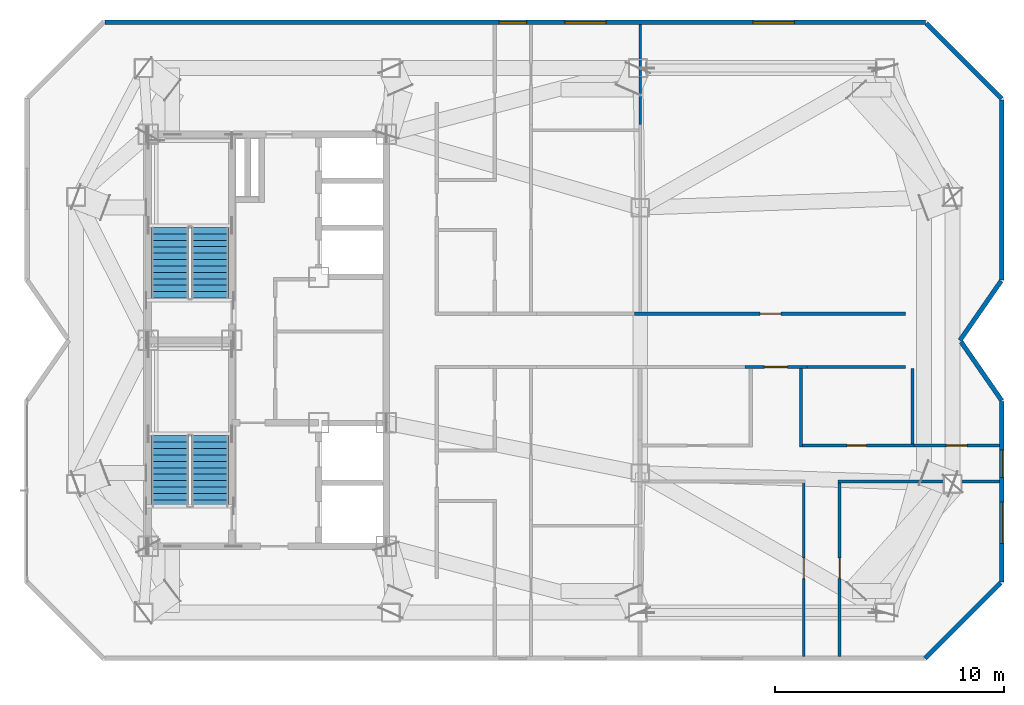
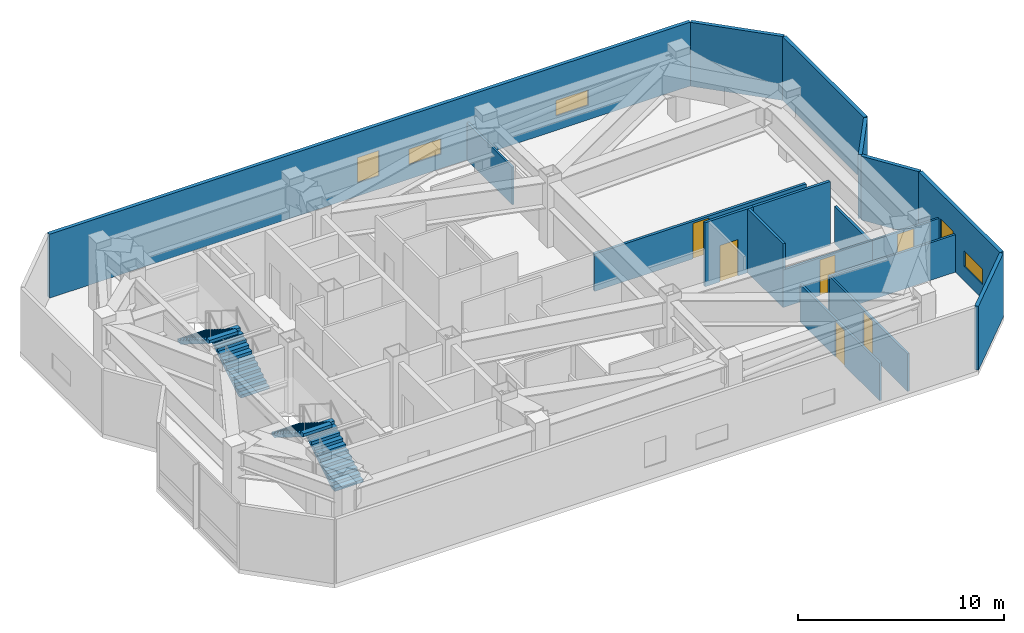
# One storey, part 8 of 9: 18 walls, 6 doors, 5 windows, 4 stair flights, 11 openings, 2 elements without a shape of their own.
"""IFC4 building model written with IfcOpenShell, lengths in metres."""

from ifc_helpers import new_model, si_unit, direction, frame, frame_2d, origin, place, context, subcontext, project, spatial, polyline, rectangle, outline, extrude, material, layer, layer_set, type_object, element, fill, aggregate, save


model = new_model("IFC4")

# Units and contexts
model_context = context("Model", 3, precision=1e-05, world=origin(), true_north=direction((0.0, 1.0)))
body_context = subcontext(model_context, "Body", "Model", "MODEL_VIEW")
ifc_project = project(units=[si_unit("LENGTHUNIT", "METRE"), si_unit("AREAUNIT", "SQUARE_METRE"), si_unit("VOLUMEUNIT", "CUBIC_METRE"), si_unit("PLANEANGLEUNIT", "RADIAN"), si_unit("MASSUNIT", "GRAM", prefix="KILO")], contexts=[model_context])

# Site, building, storey
site_placement = place(None, origin())
site = spatial("IfcSite", under=ifc_project, at=site_placement, CompositionType="ELEMENT")
building_placement = place(site_placement, origin())
building = spatial("IfcBuilding", under=site, at=building_placement, Name="Khamvora Tower", CompositionType="ELEMENT")
storey_placement = place(building_placement, frame((0.0, 0.0, 282.050048828125)))
storey = spatial("IfcBuildingStorey", under=building, at=storey_placement, Name="L72", CompositionType="ELEMENT", Elevation=282.050048828125)

# Wall, opening, door
ifc_material_1 = material(Name="Fire-Rated Drywall and Steel Stud", Category="steel")
ifc_layer_1 = layer(ifc_material_1, 0.14990234375)
ifc_layer_set_1 = layer_set([ifc_layer_1], Name="Fire-Rated Drywall and Steel Stud")
wall_type_1 = type_object("IfcWallType", Name="WAL-CORR-150", PredefinedType="STANDARD", material=ifc_layer_set_1)
wall_1_placement = place(storey_placement, frame((50.256103515625, 29.1650390625, 0.0), z_axis=(0.0, 0.0, 1.0), x_axis=(1.0, 0.0, 0.0)))
wall_1 = element("IfcWall", 1, at=wall_1_placement, inside=storey, type_object=wall_type_1, Name="L72 interior partition wall 005", PredefinedType="STANDARD", context=body_context, shape_type="SweptSolid", body=[
    extrude(rectangle(XDim=11.833984375, YDim=0.14990234375, at=frame_2d((5.9169921875, 0.0))), origin(), (0.0, 0.0, 1.0), 2.219970703125),
])
opening_1_placement = place(wall_1_placement, frame((5.488037109375, 0.0, 0.0)))
opening_1 = element("IfcOpeningElement", 2, at=opening_1_placement, cuts=wall_1, Name="Opening D-RM1", PredefinedType="OPENING", context=body_context, shape_type="SweptSolid", body=[
    extrude(rectangle(XDim=0.89990234375, YDim=2.10009765625, at=frame_2d((0.449951171875, 1.050048828125))), frame((0.0, 0.0849609375, 0.0), z_axis=(0.0, -1.0, 0.0), x_axis=(1.0, 0.0, 0.0)), (0.0, 0.0, 1.0), 0.169921875),
])
ifc_material_2 = material(Name="Powder-Coated Steel and Hardwood Leaf", Category="steel")
door_type_1 = type_object("IfcDoorType", Name="DOR-ROOM-900", OperationType="NOTDEFINED", PredefinedType="DOOR", material=ifc_material_2)
door_1_placement = place(opening_1_placement, origin())
door_1 = element("IfcDoor", 3, at=door_1_placement, inside=storey, type_object=door_type_1, Name="L72 interior door COR-CSAL", OperationType="SINGLE_SWING_LEFT", OverallHeight=2.10009765625, OverallWidth=0.89990234375, PredefinedType="DOOR", context=body_context, shape_type="SweptSolid", body=[
    extrude(rectangle(XDim=0.89990234375, YDim=2.10009765625, at=frame_2d((0.449951171875, 1.050048828125))), frame((0.0, 0.02490234375, 0.0), z_axis=(0.0, -1.0, 0.0), x_axis=(1.0, 0.0, 0.0)), (0.0, 0.0, 1.0), 0.050048828125),
])
fill(opening_1, door_1)

wall_2_placement = place(storey_placement, frame((57.780029296875, 26.8349609375, 0.0), z_axis=(0.0, 0.0, 1.0), x_axis=(-1.0, 0.0, 0.0)))
wall_2 = element("IfcWall", 4, at=wall_2_placement, inside=storey, type_object=wall_type_1, Name="L72 interior partition wall 012", PredefinedType="STANDARD", context=body_context, shape_type="SweptSolid", body=[
    extrude(rectangle(XDim=2.697998046875, YDim=0.14990234375, at=frame_2d((1.34912109375, 0.0))), origin(), (0.0, 0.0, 1.0), 3.780029296875),
])
opening_2_placement = place(wall_2_placement, frame((0.84912109375, 0.0, 0.0)))
opening_2 = element("IfcOpeningElement", 5, at=opening_2_placement, cuts=wall_2, Name="Opening D-U1", PredefinedType="OPENING", context=body_context, shape_type="SweptSolid", body=[
    extrude(rectangle(XDim=1.0, YDim=2.14990234375, at=frame_2d((0.5, 1.074951171875))), frame((0.0, 0.0849609375, 0.0), z_axis=(0.0, -1.0, 0.0), x_axis=(1.0, 0.0, 0.0)), (0.0, 0.0, 1.0), 0.169921875),
])
door_type_2 = type_object("IfcDoorType", Name="DOR-UNIT-1000", OperationType="NOTDEFINED", PredefinedType="DOOR", material=ifc_material_2)
door_2_placement = place(opening_2_placement, origin())
door_2 = element("IfcDoor", 6, at=door_2_placement, inside=storey, type_object=door_type_2, Name="L72 interior door COR-72DH", OperationType="SINGLE_SWING_LEFT", OverallHeight=2.14990234375, OverallWidth=1.0, PredefinedType="DOOR", context=body_context, shape_type="SweptSolid", body=[
    extrude(rectangle(XDim=1.0, YDim=2.14990234375, at=frame_2d((0.5, 1.074951171875))), frame((0.0, 0.02490234375, 0.0), z_axis=(0.0, -1.0, 0.0), x_axis=(1.0, 0.0, 0.0)), (0.0, 0.0, 1.0), 0.050048828125),
])
fill(opening_2, door_2)

# Wall
wall_3_placement = place(storey_placement, frame((62.090087890625, 26.8349609375, 0.0), z_axis=(0.0, 0.0, 1.0), x_axis=(-1.0, 0.0, 0.0)))
element("IfcWall", 7, at=wall_3_placement, inside=storey, type_object=wall_type_1, Name="L72 interior partition wall 014", PredefinedType="STANDARD", context=body_context, shape_type="SweptSolid", body=[
    extrude(rectangle(XDim=4.31005859375, YDim=0.14990234375, at=frame_2d((2.155029296875, 0.0))), origin(), (0.0, 0.0, 1.0), 3.780029296875),
])

# Wall, openings, windows
ifc_material_3 = material(Name="Precast concrete C40/50", Category="concrete")
ifc_layer_2 = layer(ifc_material_3, 0.199951171875)
ifc_layer_set_2 = layer_set([ifc_layer_2], Name="Precast concrete C40/50")
wall_type_2 = type_object("IfcWallType", Name="WAL-EXT-200", PredefinedType="STANDARD", material=ifc_layer_set_2)
wall_4_placement = place(storey_placement, frame((27.10205078125, 41.89990234375, 0.0), z_axis=(0.0, 0.0, 1.0), x_axis=(1.0, 0.0, 0.0)))
wall_4 = element("IfcWall", 8, at=wall_4_placement, inside=storey, type_object=wall_type_2, Name="L72 exterior facade wall 07.1", PredefinedType="STANDARD", context=body_context, shape_type="SweptSolid", body=[
    extrude(rectangle(XDim=35.85693359375, YDim=0.199951171875, at=frame_2d((17.928466796875, 0.0))), origin(), (0.0, 0.0, 1.0), 3.780029296875),
])
opening_3_placement = place(wall_4_placement, frame((28.337890625, 0.0, 0.85009765625)))
opening_3 = element("IfcOpeningElement", 9, at=opening_3_placement, cuts=wall_4, Name="Opening WN-09", PredefinedType="OPENING", context=body_context, shape_type="SweptSolid", body=[
    extrude(rectangle(XDim=1.800048828125, YDim=0.919921875, at=frame_2d((0.89990234375, 0.4599609375))), frame((0.0, 0.10986328125, 0.0), z_axis=(0.0, -1.0, 0.0), x_axis=(1.0, 0.0, 0.0)), (0.0, 0.0, 1.0), 0.219970703125),
])
opening_4_placement = place(wall_4_placement, frame((17.23291015625, 0.0, 0.780029296875)))
opening_4 = element("IfcOpeningElement", 10, at=opening_4_placement, cuts=wall_4, Name="Opening WN-03", PredefinedType="OPENING", context=body_context, shape_type="SweptSolid", body=[
    extrude(rectangle(XDim=1.199951171875, YDim=1.5, at=frame_2d((0.60009765625, 0.75))), frame((0.0, 0.10986328125, 0.0), z_axis=(0.0, -1.0, 0.0), x_axis=(1.0, 0.0, 0.0)), (0.0, 0.0, 1.0), 0.219970703125),
])
opening_5_placement = place(wall_4_placement, frame((20.10791015625, 0.0, 0.85009765625)))
opening_5 = element("IfcOpeningElement", 11, at=opening_5_placement, cuts=wall_4, Name="Opening WN-09", PredefinedType="OPENING", context=body_context, shape_type="SweptSolid", body=[
    extrude(rectangle(XDim=1.800048828125, YDim=0.919921875, at=frame_2d((0.89990234375, 0.4599609375))), frame((0.0, 0.10986328125, 0.0), z_axis=(0.0, -1.0, 0.0), x_axis=(1.0, 0.0, 0.0)), (0.0, 0.0, 1.0), 0.219970703125),
])
ifc_material_4 = material(Name="Low-E Laminated Double Glazing", Category="glass")
window_type_1 = type_object("IfcWindowType", Name="WIN-CLR-1800x920", PartitioningType="SINGLE_PANEL", PredefinedType="WINDOW", material=ifc_material_4)
window_1_placement = place(opening_3_placement, origin())
window_1 = element("IfcWindow", 12, at=window_1_placement, inside=storey, type_object=window_type_1, Name="L72 vision window 07.1.01", OverallHeight=0.919921875, OverallWidth=1.800048828125, PartitioningType="SINGLE_PANEL", PredefinedType="WINDOW", context=body_context, shape_type="SweptSolid", body=[
    extrude(rectangle(XDim=1.800048828125, YDim=0.919921875, at=frame_2d((0.89990234375, 0.4599609375))), frame((0.0, 0.030029296875, 0.0), z_axis=(0.0, -1.0, 0.0), x_axis=(1.0, 0.0, 0.0)), (0.0, 0.0, 1.0), 0.06005859375),
])
fill(opening_3, window_1)
window_2_placement = place(opening_5_placement, origin())
window_2 = element("IfcWindow", 13, at=window_2_placement, inside=storey, type_object=window_type_1, Name="L72 vision window 07.1.03", OverallHeight=0.919921875, OverallWidth=1.800048828125, PartitioningType="SINGLE_PANEL", PredefinedType="WINDOW", context=body_context, shape_type="SweptSolid", body=[
    extrude(rectangle(XDim=1.800048828125, YDim=0.919921875, at=frame_2d((0.89990234375, 0.4599609375))), frame((0.0, 0.030029296875, 0.0), z_axis=(0.0, -1.0, 0.0), x_axis=(1.0, 0.0, 0.0)), (0.0, 0.0, 1.0), 0.06005859375),
])
fill(opening_5, window_2)
window_type_2 = type_object("IfcWindowType", Name="WIN-VIS-1200x1500", PartitioningType="SINGLE_PANEL", PredefinedType="WINDOW", material=ifc_material_4)
window_3_placement = place(opening_4_placement, origin())
window_3 = element("IfcWindow", 14, at=window_3_placement, inside=storey, type_object=window_type_2, Name="L72 vision window 07.1.02", OverallHeight=1.5, OverallWidth=1.199951171875, PartitioningType="SINGLE_PANEL", PredefinedType="WINDOW", context=body_context, shape_type="SweptSolid", body=[
    extrude(rectangle(XDim=1.199951171875, YDim=1.5, at=frame_2d((0.60009765625, 0.75))), frame((0.0, 0.030029296875, 0.0), z_axis=(0.0, -1.0, 0.0), x_axis=(1.0, 0.0, 0.0)), (0.0, 0.0, 1.0), 0.06005859375),
])
fill(opening_4, window_3)

# Walls
wall_5_placement = place(storey_placement, frame((63.001953125, 41.85693359375, 0.0), z_axis=(0.0, 0.0, 1.0), x_axis=(0.707132953363, -0.707080608041, 0.0)))
element("IfcWall", 15, at=wall_5_placement, inside=storey, type_object=wall_type_2, Name="L72 exterior facade wall 08.1", PredefinedType="STANDARD", context=body_context, shape_type="SweptSolid", body=[
    extrude(rectangle(XDim=4.6640625, YDim=0.199951171875, at=frame_2d((2.33203125, 0.0))), origin(), (0.0, 0.0, 1.0), 3.780029296875),
])
wall_6_placement = place(storey_placement, frame((66.300048828125, 38.49609375, 0.0), z_axis=(0.0, 0.0, 1.0), x_axis=(0.0, -1.0, 0.0)))
element("IfcWall", 16, at=wall_6_placement, inside=storey, type_object=wall_type_2, Name="L72 exterior facade wall 09.1", PredefinedType="STANDARD", context=body_context, shape_type="SweptSolid", body=[
    extrude(rectangle(XDim=7.864990234375, YDim=0.199951171875, at=frame_2d((3.9326171875, 0.0))), origin(), (0.0, 0.0, 1.0), 3.780029296875),
])
wall_7_placement = place(storey_placement, frame((66.27294921875, 30.592041015625, 0.0), z_axis=(0.0, 0.0, 1.0), x_axis=(-0.569302587555, -0.822128070195, 0.0)))
element("IfcWall", 17, at=wall_7_placement, inside=storey, type_object=wall_type_2, Name="L72 exterior facade wall 10.1", PredefinedType="STANDARD", context=body_context, shape_type="SweptSolid", body=[
    extrude(rectangle(XDim=3.15283203125, YDim=0.199951171875, at=frame_2d((1.576416015625, 0.0))), origin(), (0.0, 0.0, 1.0), 3.780029296875),
])
wall_8_placement = place(storey_placement, frame((64.52587890625, 27.930908203125, 0.0), z_axis=(0.0, 0.0, 1.0), x_axis=(0.569311819154, -0.822121677473, 0.0)))
element("IfcWall", 18, at=wall_8_placement, inside=storey, type_object=wall_type_2, Name="L72 exterior facade wall 11.1", PredefinedType="STANDARD", context=body_context, shape_type="SweptSolid", body=[
    extrude(rectangle(XDim=3.116455078125, YDim=0.199951171875, at=frame_2d((1.55810546875, 0.0))), origin(), (0.0, 0.0, 1.0), 3.780029296875),
])

# Wall, openings, windows
wall_9_placement = place(storey_placement, frame((66.300048828125, 25.321044921875, 0.0), z_axis=(0.0, 0.0, 1.0), x_axis=(0.0, -1.0, 0.0)))
wall_9 = element("IfcWall", 19, at=wall_9_placement, inside=storey, type_object=wall_type_2, Name="L72 exterior facade wall 12.1", PredefinedType="STANDARD", context=body_context, shape_type="SweptSolid", body=[
    extrude(rectangle(XDim=7.880126953125, YDim=0.199951171875, at=frame_2d((3.93994140625, 0.0))), origin(), (0.0, 0.0, 1.0), 3.780029296875),
])
opening_6_placement = place(wall_9_placement, frame((2.10498046875, 0.0, 0.780029296875)))
opening_6 = element("IfcOpeningElement", 20, at=opening_6_placement, cuts=wall_9, Name="Opening WN-03", PredefinedType="OPENING", context=body_context, shape_type="SweptSolid", body=[
    extrude(rectangle(XDim=1.199951171875, YDim=1.5, at=frame_2d((0.60009765625, 0.75))), frame((0.0, 0.10986328125, 0.0), z_axis=(0.0, -1.0, 0.0), x_axis=(1.0, 0.0, 0.0)), (0.0, 0.0, 1.0), 0.219970703125),
])
opening_7_placement = place(wall_9_placement, frame((4.39501953125, 0.0, 0.85009765625)))
opening_7 = element("IfcOpeningElement", 21, at=opening_7_placement, cuts=wall_9, Name="Opening WN-09", PredefinedType="OPENING", context=body_context, shape_type="SweptSolid", body=[
    extrude(rectangle(XDim=1.800048828125, YDim=0.919921875, at=frame_2d((0.89990234375, 0.4599609375))), frame((0.0, 0.10986328125, 0.0), z_axis=(0.0, -1.0, 0.0), x_axis=(1.0, 0.0, 0.0)), (0.0, 0.0, 1.0), 0.219970703125),
])
window_4_placement = place(opening_7_placement, origin())
window_4 = element("IfcWindow", 22, at=window_4_placement, inside=storey, type_object=window_type_1, Name="L72 vision window 12.1.02", OverallHeight=0.919921875, OverallWidth=1.800048828125, PartitioningType="SINGLE_PANEL", PredefinedType="WINDOW", context=body_context, shape_type="SweptSolid", body=[
    extrude(rectangle(XDim=1.800048828125, YDim=0.919921875, at=frame_2d((0.89990234375, 0.4599609375))), frame((0.0, 0.030029296875, 0.0), z_axis=(0.0, -1.0, 0.0), x_axis=(1.0, 0.0, 0.0)), (0.0, 0.0, 1.0), 0.06005859375),
])
fill(opening_7, window_4)
window_5_placement = place(opening_6_placement, origin())
window_5 = element("IfcWindow", 23, at=window_5_placement, inside=storey, type_object=window_type_2, Name="L72 vision window 12.1.01", OverallHeight=1.5, OverallWidth=1.199951171875, PartitioningType="SINGLE_PANEL", PredefinedType="WINDOW", context=body_context, shape_type="SweptSolid", body=[
    extrude(rectangle(XDim=1.199951171875, YDim=1.5, at=frame_2d((0.60009765625, 0.75))), frame((0.0, 0.030029296875, 0.0), z_axis=(0.0, -1.0, 0.0), x_axis=(1.0, 0.0, 0.0)), (0.0, 0.0, 1.0), 0.06005859375),
])
fill(opening_6, window_5)

# Walls
wall_10_placement = place(storey_placement, frame((66.2548828125, 17.39599609375, 0.0), z_axis=(0.0, 0.0, 1.0), x_axis=(-0.707106781187, -0.707106781187, 0.0)))
element("IfcWall", 24, at=wall_10_placement, inside=storey, type_object=wall_type_2, Name="L72 exterior facade wall 13.1", PredefinedType="STANDARD", context=body_context, shape_type="SweptSolid", body=[
    extrude(rectangle(XDim=4.6611328125, YDim=0.199951171875, at=frame_2d((2.33056640625, 0.0))), origin(), (0.0, 0.0, 1.0), 3.780029296875),
])
ifc_material_5 = material(Name="Gypsum Plasterboard Partition", Category="gypsum")
ifc_layer_3 = layer(ifc_material_5, 0.1201171875)
ifc_layer_set_3 = layer_set([ifc_layer_3], Name="Gypsum Plasterboard Partition")
wall_type_3 = type_object("IfcWallType", Name="WAL-PART-120", PredefinedType="PARTITIONING", material=ifc_layer_set_3)
wall_11_placement = place(storey_placement, frame((50.5048828125, 37.427978515625, 0.0), z_axis=(0.0, 0.0, 1.0), x_axis=(0.0, 1.0, 0.0)))
element("IfcWall", 25, at=wall_11_placement, inside=storey, type_object=wall_type_3, Name="L72 interior partition wall 022", PredefinedType="PARTITIONING", context=body_context, shape_type="SweptSolid", body=[
    extrude(rectangle(XDim=4.380126953125, YDim=0.1201171875, at=frame_2d((2.18994140625, 0.0))), origin(), (0.0, 0.0, 1.0), 2.219970703125),
])

# Wall, opening, door
wall_12_placement = place(storey_placement, frame((66.2080078125, 23.406005859375, 0.0), z_axis=(0.0, 0.0, 1.0), x_axis=(-1.0, 0.0, 0.0)))
wall_12 = element("IfcWall", 26, at=wall_12_placement, inside=storey, type_object=wall_type_3, Name="L72 interior partition wall 034", PredefinedType="PARTITIONING", context=body_context, shape_type="SweptSolid", body=[
    extrude(rectangle(XDim=3.7470703125, YDim=0.1201171875, at=frame_2d((1.87353515625, 0.0))), origin(), (0.0, 0.0, 1.0), 2.219970703125),
])
opening_8_placement = place(wall_12_placement, frame((1.423095703125, 0.0, 0.0)))
opening_8 = element("IfcOpeningElement", 27, at=opening_8_placement, cuts=wall_12, Name="Opening D-RM1", PredefinedType="OPENING", context=body_context, shape_type="SweptSolid", body=[
    extrude(rectangle(XDim=0.89990234375, YDim=2.10009765625, at=frame_2d((0.449951171875, 1.050048828125))), frame((0.0, 0.070068359375, 0.0), z_axis=(0.0, -1.0, 0.0), x_axis=(1.0, 0.0, 0.0)), (0.0, 0.0, 1.0), 0.14013671875),
])
door_3_placement = place(opening_8_placement, origin())
door_3 = element("IfcDoor", 28, at=door_3_placement, inside=storey, type_object=door_type_1, Name="L72 interior door 72DW2-72DH", OperationType="SINGLE_SWING_LEFT", OverallHeight=2.10009765625, OverallWidth=0.89990234375, PredefinedType="DOOR", context=body_context, shape_type="SweptSolid", body=[
    extrude(rectangle(XDim=0.89990234375, YDim=2.10009765625, at=frame_2d((0.449951171875, 1.050048828125))), frame((0.0, 0.02490234375, 0.0), z_axis=(0.0, -1.0, 0.0), x_axis=(1.0, 0.0, 0.0)), (0.0, 0.0, 1.0), 0.050048828125),
])
fill(opening_8, door_3)

wall_13_placement = place(storey_placement, frame((57.64501953125, 14.19189453125, 0.0), z_axis=(0.0, 0.0, 1.0), x_axis=(0.0, 1.0, 0.0)))
wall_13 = element("IfcWall", 29, at=wall_13_placement, inside=storey, type_object=wall_type_3, Name="L72 interior partition wall 040", PredefinedType="PARTITIONING", context=body_context, shape_type="SweptSolid", body=[
    extrude(rectangle(XDim=7.69921875, YDim=0.1201171875, at=frame_2d((3.849609375, 0.0))), origin(), (0.0, 0.0, 1.0), 2.219970703125),
])
opening_9_placement = place(wall_13_placement, frame((3.39892578125, 0.0, 0.0)))
opening_9 = element("IfcOpeningElement", 30, at=opening_9_placement, cuts=wall_13, Name="Opening D-RM1", PredefinedType="OPENING", context=body_context, shape_type="SweptSolid", body=[
    extrude(rectangle(XDim=0.89990234375, YDim=2.10009765625, at=frame_2d((0.449951171875, 1.050048828125))), frame((0.0, 0.070068359375, 0.0), z_axis=(0.0, -1.0, 0.0), x_axis=(1.0, 0.0, 0.0)), (0.0, 0.0, 1.0), 0.14013671875),
])
door_4_placement = place(opening_9_placement, origin())
door_4 = element("IfcDoor", 31, at=door_4_placement, inside=storey, type_object=door_type_1, Name="L72 interior door 72DH-72DR1", OperationType="SINGLE_SWING_RIGHT", OverallHeight=2.10009765625, OverallWidth=0.89990234375, PredefinedType="DOOR", context=body_context, shape_type="SweptSolid", body=[
    extrude(rectangle(XDim=0.89990234375, YDim=2.10009765625, at=frame_2d((0.449951171875, 1.050048828125))), frame((0.0, 0.02490234375, 0.0), z_axis=(0.0, -1.0, 0.0), x_axis=(1.0, 0.0, 0.0)), (0.0, 0.0, 1.0), 0.050048828125),
])
fill(opening_9, door_4)

# Wall
wall_14_placement = place(storey_placement, frame((66.2080078125, 21.825927734375, 0.0), z_axis=(0.0, 0.0, 1.0), x_axis=(-1.0, 0.0, 0.0)))
element("IfcWall", 32, at=wall_14_placement, inside=storey, type_object=wall_type_3, Name="L72 interior partition wall 042", PredefinedType="PARTITIONING", context=body_context, shape_type="SweptSolid", body=[
    extrude(rectangle(XDim=7.05810546875, YDim=0.1201171875, at=frame_2d((3.529052734375, 0.0))), origin(), (0.0, 0.0, 1.0), 2.219970703125),
])

# Wall, opening, door
wall_15_placement = place(storey_placement, frame((59.215087890625, 21.89111328125, 0.0), z_axis=(0.0, 0.0, 1.0), x_axis=(0.0, -1.0, 0.0)))
wall_15 = element("IfcWall", 33, at=wall_15_placement, inside=storey, type_object=wall_type_3, Name="L72 interior partition wall 043", PredefinedType="PARTITIONING", context=body_context, shape_type="SweptSolid", body=[
    extrude(rectangle(XDim=7.69921875, YDim=0.1201171875, at=frame_2d((3.849609375, 0.0))), origin(), (0.0, 0.0, 1.0), 2.219970703125),
])
opening_10_placement = place(wall_15_placement, frame((3.39892578125, 0.0, 0.0)))
opening_10 = element("IfcOpeningElement", 34, at=opening_10_placement, cuts=wall_15, Name="Opening D-RM1", PredefinedType="OPENING", context=body_context, shape_type="SweptSolid", body=[
    extrude(rectangle(XDim=0.89990234375, YDim=2.10009765625, at=frame_2d((0.449951171875, 1.050048828125))), frame((0.0, 0.070068359375, 0.0), z_axis=(0.0, -1.0, 0.0), x_axis=(1.0, 0.0, 0.0)), (0.0, 0.0, 1.0), 0.14013671875),
])
door_5_placement = place(opening_10_placement, origin())
door_5 = element("IfcDoor", 35, at=door_5_placement, inside=storey, type_object=door_type_1, Name="L72 interior door 72DH-72DR2", OperationType="SINGLE_SWING_LEFT", OverallHeight=2.10009765625, OverallWidth=0.89990234375, PredefinedType="DOOR", context=body_context, shape_type="SweptSolid", body=[
    extrude(rectangle(XDim=0.89990234375, YDim=2.10009765625, at=frame_2d((0.449951171875, 1.050048828125))), frame((0.0, 0.02490234375, 0.0), z_axis=(0.0, -1.0, 0.0), x_axis=(1.0, 0.0, 0.0)), (0.0, 0.0, 1.0), 0.050048828125),
])
fill(opening_10, door_5)

# Walls
ifc_material_6 = material(Name="Moisture-Resistant Plasterboard Partition", Category="gypsum")
ifc_layer_4 = layer(ifc_material_6, 0.135009765625)
ifc_layer_set_4 = layer_set([ifc_layer_4], Name="Moisture-Resistant Plasterboard Partition")
wall_type_4 = type_object("IfcWallType", Name="WAL-WET-135", PredefinedType="PARTITIONING", material=ifc_layer_set_4)
wall_16_placement = place(storey_placement, frame((62.39599609375, 23.470947265625, 0.0), z_axis=(0.0, 0.0, 1.0), x_axis=(0.0, 1.0, 0.0)))
element("IfcWall", 36, at=wall_16_placement, inside=storey, type_object=wall_type_4, Name="L72 interior partition wall 035", PredefinedType="PARTITIONING", context=body_context, shape_type="SweptSolid", body=[
    extrude(rectangle(XDim=3.299072265625, YDim=0.135009765625, at=frame_2d((1.6494140625, 0.0))), origin(), (0.0, 0.0, 1.0), 2.219970703125),
])
wall_17_placement = place(storey_placement, frame((57.531005859375, 26.77001953125, 0.0), z_axis=(0.0, 0.0, 1.0), x_axis=(0.0, -1.0, 0.0)))
element("IfcWall", 37, at=wall_17_placement, inside=storey, type_object=wall_type_4, Name="L72 interior partition wall 038", PredefinedType="PARTITIONING", context=body_context, shape_type="SweptSolid", body=[
    extrude(rectangle(XDim=3.428955078125, YDim=0.135009765625, at=frame_2d((1.71435546875, 0.0))), origin(), (0.0, 0.0, 1.0), 3.780029296875),
])

# Wall, opening, door
wall_18_placement = place(storey_placement, frame((57.466064453125, 23.406005859375, 0.0), z_axis=(0.0, 0.0, 1.0), x_axis=(1.0, 0.0, 0.0)))
wall_18 = element("IfcWall", 38, at=wall_18_placement, inside=storey, type_object=wall_type_4, Name="L72 interior partition wall 039", PredefinedType="PARTITIONING", context=body_context, shape_type="SweptSolid", body=[
    extrude(rectangle(XDim=4.994873046875, YDim=0.135009765625, at=frame_2d((2.49755859375, 0.0))), origin(), (0.0, 0.0, 1.0), 2.219970703125),
])
opening_11_placement = place(wall_18_placement, frame((2.072998046875, 0.0, 0.0)))
opening_11 = element("IfcOpeningElement", 39, at=opening_11_placement, cuts=wall_18, Name="Opening D-RM2", PredefinedType="OPENING", context=body_context, shape_type="SweptSolid", body=[
    extrude(rectangle(XDim=0.85009765625, YDim=2.10009765625, at=frame_2d((0.425048828125, 1.050048828125))), frame((0.0, 0.077392578125, 0.0), z_axis=(0.0, -1.0, 0.0), x_axis=(1.0, 0.0, 0.0)), (0.0, 0.0, 1.0), 0.155029296875),
])
door_type_3 = type_object("IfcDoorType", Name="DOR-ROOM-850", OperationType="NOTDEFINED", PredefinedType="DOOR", material=ifc_material_2)
door_6_placement = place(opening_11_placement, origin())
door_6 = element("IfcDoor", 40, at=door_6_placement, inside=storey, type_object=door_type_3, Name="L72 interior door 72DH-72DK", OperationType="SINGLE_SWING_LEFT", OverallHeight=2.10009765625, OverallWidth=0.85009765625, PredefinedType="DOOR", context=body_context, shape_type="SweptSolid", body=[
    extrude(rectangle(XDim=0.85009765625, YDim=2.10009765625, at=frame_2d((0.425048828125, 1.050048828125))), frame((0.0, 0.02490234375, 0.0), z_axis=(0.0, -1.0, 0.0), x_axis=(1.0, 0.0, 0.0)), (0.0, 0.0, 1.0), 0.050048828125),
])
fill(opening_11, door_6)

# Stair, stair flights
ifc_material_7 = material(Name="Concrete C40/50", Category="concrete")
stair_type_1 = type_object("IfcStairType", Name="STR-ST-01", PredefinedType="HALF_TURN_STAIR", material=ifc_material_7)
stair_1_placement = place(storey_placement, origin())
stair_1 = element("IfcStair", 41, at=stair_1_placement, inside=storey, type_object=stair_type_1, Name="L72 South Tower Exit Stair ST-01", PredefinedType="HALF_TURN_STAIR")
stair_flight_type_1 = type_object("IfcStairFlightType", Name="STF-ST-01", PredefinedType="STRAIGHT", material=ifc_material_7)
stair_flight_1_placement = place(storey_placement, frame((31.699951171875, 20.75, 0.0), z_axis=(0.0, 0.0, 1.0), x_axis=(0.0, 1.0, 0.0)))
stair_flight_1 = element("IfcStairFlight", 42, at=stair_flight_1_placement, type_object=stair_flight_type_1, Name="ST-01 flight 1", NumberOfRisers=12, NumberOfTreads=11, PredefinedType="STRAIGHT", RiserHeight=0.175, TreadLength=0.28, context=body_context, shape_type="SweptSolid", body=[
    extrude(outline(polyline([(0.0, 0.0), (0.0, 0.175048828125), (0.280029296875, 0.175048828125), (0.280029296875, 0.35009765625), (0.56005859375, 0.35009765625), (0.56005859375, 0.52490234375), (0.840087890625, 0.52490234375), (0.840087890625, 0.699951171875), (1.1201171875, 0.699951171875), (1.1201171875, 0.875), (1.39990234375, 0.875), (1.39990234375, 1.050048828125), (1.679931640625, 1.050048828125), (1.679931640625, 1.22509765625), (1.9599609375, 1.22509765625), (1.9599609375, 1.39990234375), (2.239990234375, 1.39990234375), (2.239990234375, 1.574951171875), (2.52001953125, 1.574951171875), (2.52001953125, 1.75), (2.800048828125, 1.75), (2.800048828125, 1.925048828125), (3.080078125, 1.925048828125), (3.080078125, 2.10009765625), (3.080078125, 1.748291015625), (0.28271484375, 0.0), (0.0, 0.0)])), frame((0.0, 0.800048828125, 0.0), z_axis=(0.0, -1.0, 0.0), x_axis=(1.0, 0.0, 0.0)), (0.0, 0.0, 1.0), 1.60009765625),
])
stair_flight_2_placement = place(storey_placement, frame((29.949951171875, 23.830078125, 2.099853515625), z_axis=(0.0, 0.0, 1.0), x_axis=(0.0, -1.0, 0.0)))
stair_flight_2 = element("IfcStairFlight", 43, at=stair_flight_2_placement, type_object=stair_flight_type_1, Name="ST-01 flight 2", NumberOfRisers=12, NumberOfTreads=11, PredefinedType="STRAIGHT", RiserHeight=0.175, TreadLength=0.28, context=body_context, shape_type="SweptSolid", body=[
    extrude(outline(polyline([(0.0, 0.0), (0.0, 0.175048828125), (0.280029296875, 0.175048828125), (0.280029296875, 0.35009765625), (0.56005859375, 0.35009765625), (0.56005859375, 0.52490234375), (0.840087890625, 0.52490234375), (0.840087890625, 0.699951171875), (1.1201171875, 0.699951171875), (1.1201171875, 0.875), (1.39990234375, 0.875), (1.39990234375, 1.050048828125), (1.679931640625, 1.050048828125), (1.679931640625, 1.22509765625), (1.9599609375, 1.22509765625), (1.9599609375, 1.39990234375), (2.239990234375, 1.39990234375), (2.239990234375, 1.574951171875), (2.52001953125, 1.574951171875), (2.52001953125, 1.75), (2.800048828125, 1.75), (2.800048828125, 1.925048828125), (3.080078125, 1.925048828125), (3.080078125, 2.10009765625), (3.080078125, 1.748291015625), (0.28271484375, 0.0), (0.0, 0.0)])), frame((0.0, 0.800048828125, 0.0), z_axis=(0.0, -1.0, 0.0), x_axis=(1.0, 0.0, 0.0)), (0.0, 0.0, 1.0), 1.60009765625),
])
aggregate(stair_1, [stair_flight_1, stair_flight_2])

stair_type_2 = type_object("IfcStairType", Name="STR-ST-02", PredefinedType="HALF_TURN_STAIR", material=ifc_material_7)
stair_2_placement = place(storey_placement, origin())
stair_2 = element("IfcStair", 44, at=stair_2_placement, inside=storey, type_object=stair_type_2, Name="L72 North Tower Exit Stair ST-02", PredefinedType="HALF_TURN_STAIR")
stair_flight_type_2 = type_object("IfcStairFlightType", Name="STF-ST-02", PredefinedType="STRAIGHT", material=ifc_material_7)
stair_flight_3_placement = place(storey_placement, frame((31.699951171875, 29.85009765625, 0.0), z_axis=(0.0, 0.0, 1.0), x_axis=(0.0, 1.0, 0.0)))
stair_flight_3 = element("IfcStairFlight", 45, at=stair_flight_3_placement, type_object=stair_flight_type_2, Name="ST-02 flight 1", NumberOfRisers=12, NumberOfTreads=11, PredefinedType="STRAIGHT", RiserHeight=0.175, TreadLength=0.28, context=body_context, shape_type="SweptSolid", body=[
    extrude(outline(polyline([(0.0, 0.0), (0.0, 0.175048828125), (0.280029296875, 0.175048828125), (0.280029296875, 0.35009765625), (0.56005859375, 0.35009765625), (0.56005859375, 0.52490234375), (0.840087890625, 0.52490234375), (0.840087890625, 0.699951171875), (1.1201171875, 0.699951171875), (1.1201171875, 0.875), (1.39990234375, 0.875), (1.39990234375, 1.050048828125), (1.679931640625, 1.050048828125), (1.679931640625, 1.22509765625), (1.9599609375, 1.22509765625), (1.9599609375, 1.39990234375), (2.239990234375, 1.39990234375), (2.239990234375, 1.574951171875), (2.52001953125, 1.574951171875), (2.52001953125, 1.75), (2.800048828125, 1.75), (2.800048828125, 1.925048828125), (3.080078125, 1.925048828125), (3.080078125, 2.10009765625), (3.080078125, 1.748291015625), (0.28271484375, 0.0), (0.0, 0.0)])), frame((0.0, 0.800048828125, 0.0), z_axis=(0.0, -1.0, 0.0), x_axis=(1.0, 0.0, 0.0)), (0.0, 0.0, 1.0), 1.60009765625),
])
stair_flight_4_placement = place(storey_placement, frame((29.949951171875, 32.929931640625, 2.099853515625), z_axis=(0.0, 0.0, 1.0), x_axis=(0.0, -1.0, 0.0)))
stair_flight_4 = element("IfcStairFlight", 46, at=stair_flight_4_placement, type_object=stair_flight_type_2, Name="ST-02 flight 2", NumberOfRisers=12, NumberOfTreads=11, PredefinedType="STRAIGHT", RiserHeight=0.175, TreadLength=0.28, context=body_context, shape_type="SweptSolid", body=[
    extrude(outline(polyline([(0.0, 0.0), (0.0, 0.175048828125), (0.280029296875, 0.175048828125), (0.280029296875, 0.35009765625), (0.56005859375, 0.35009765625), (0.56005859375, 0.52490234375), (0.840087890625, 0.52490234375), (0.840087890625, 0.699951171875), (1.1201171875, 0.699951171875), (1.1201171875, 0.875), (1.39990234375, 0.875), (1.39990234375, 1.050048828125), (1.679931640625, 1.050048828125), (1.679931640625, 1.22509765625), (1.9599609375, 1.22509765625), (1.9599609375, 1.39990234375), (2.239990234375, 1.39990234375), (2.239990234375, 1.574951171875), (2.52001953125, 1.574951171875), (2.52001953125, 1.75), (2.800048828125, 1.75), (2.800048828125, 1.925048828125), (3.080078125, 1.925048828125), (3.080078125, 2.10009765625), (3.080078125, 1.748291015625), (0.28271484375, 0.0), (0.0, 0.0)])), frame((0.0, 0.800048828125, 0.0), z_axis=(0.0, -1.0, 0.0), x_axis=(1.0, 0.0, 0.0)), (0.0, 0.0, 1.0), 1.60009765625),
])
aggregate(stair_2, [stair_flight_3, stair_flight_4])

save(model, "model.ifc")
